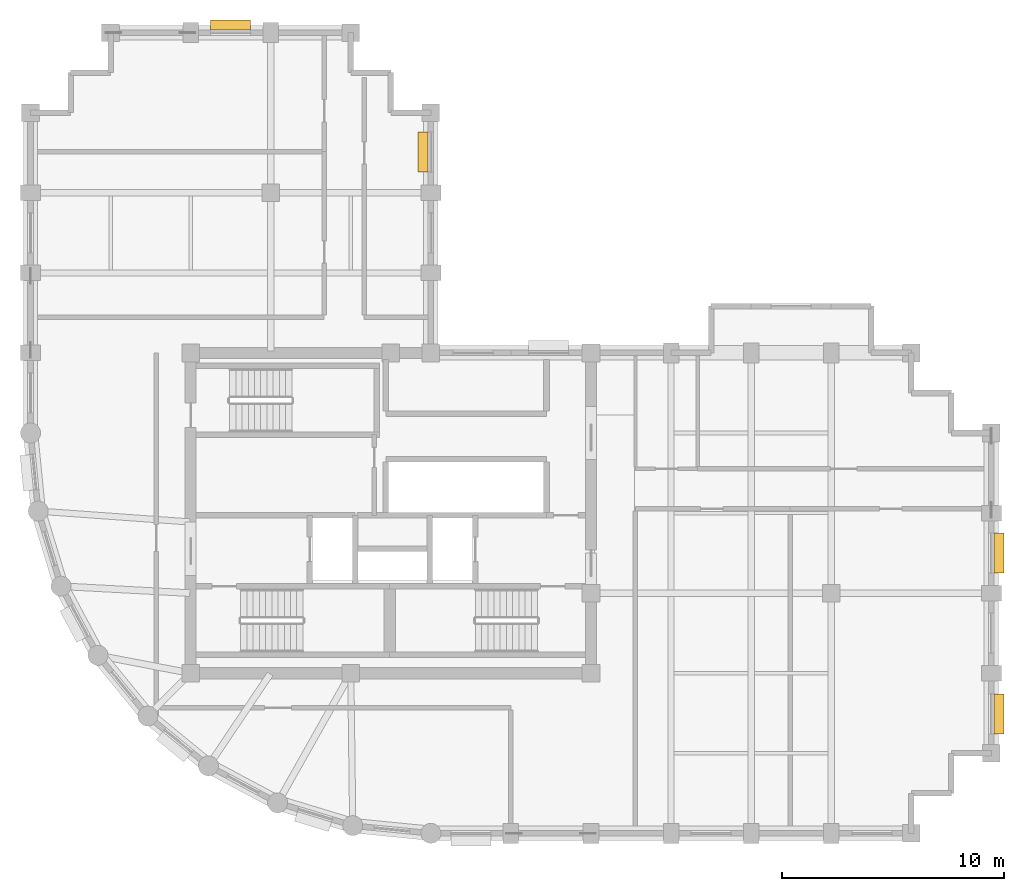
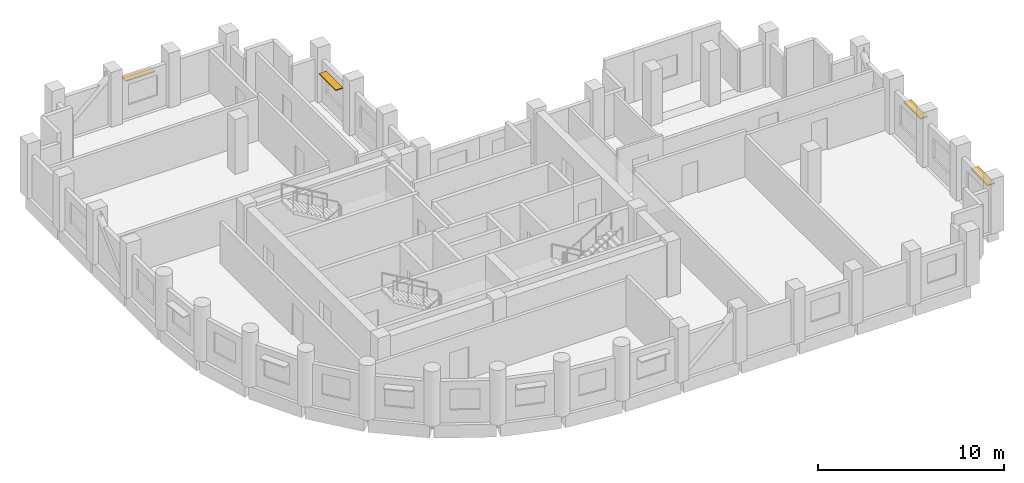
# One storey, part 7 of 7: 4 shading devices.
"""IFC4 building model written with IfcOpenShell, lengths in metres."""

from ifc_helpers import new_model, si_unit, direction, frame, origin, origin_2d, place, context, subcontext, project, spatial, rectangle, extrude, material, layer, layer_set, type_object, element, save


model = new_model("IFC4")

# Units and contexts
model_context = context("Model", 3, precision=1e-05, world=origin(), true_north=direction((0.0, 1.0)))
body_context = subcontext(model_context, "Body", "Model", "MODEL_VIEW")
ifc_project = project(units=[si_unit("LENGTHUNIT", "METRE"), si_unit("AREAUNIT", "SQUARE_METRE"), si_unit("VOLUMEUNIT", "CUBIC_METRE"), si_unit("PLANEANGLEUNIT", "RADIAN"), si_unit("MASSUNIT", "GRAM", prefix="KILO")], contexts=[model_context])

# Site, building, storey
site_placement = place(None, origin())
site = spatial("IfcSite", under=ifc_project, at=site_placement, CompositionType="ELEMENT")
building_placement = place(site_placement, origin())
building = spatial("IfcBuilding", under=site, at=building_placement, Name="Solnavia Interchange Tower", CompositionType="ELEMENT")
storey_placement = place(building_placement, frame((0.0, 0.0, 213.800048828125)))
storey = spatial("IfcBuildingStorey", under=building, at=storey_placement, Name="L53", CompositionType="ELEMENT", Elevation=213.800048828125)

# Shading devices
ifc_material = material(Name="Anodised Aluminium Sunshade", Category="aluminium")
ifc_layer = layer(ifc_material, 0.070068359375)
ifc_layer_set = layer_set([ifc_layer], Name="Anodised Aluminium Sunshade")
shading_device_type = type_object("IfcShadingDeviceType", Name="Sunshade-Band-450", PredefinedType="JALOUSIE", material=ifc_layer_set)
for number, where, z_axis, x_axis, name in (
    (1, (50.7451171875, 8.97509765625, 2.22509765625), (0.0, 0.0, 1.0), (0.0, -1.0, 0.0), "SHD-L53-11 Horizontal sunshade band"),
    (2, (50.7451171875, 16.199951171875, 2.22509765625), (0.0, 0.0, 1.0), (0.0, -1.0, 0.0), "SHD-L53-13 Horizontal sunshade band"),
    (3, (24.85498046875, 34.22509765625, 2.22509765625), (0.0, 0.0, 1.0), (0.0, 1.0, 0.0), "SHD-L53-31 Horizontal sunshade band"),
    (4, (16.199951171875, 39.945068359375, 2.22509765625), (0.0, 0.0, 1.0), (1.0, 0.0, 0.0), "SHD-L53-37 Horizontal sunshade band"),
):
    element("IfcShadingDevice", number, at=place(storey_placement, frame(where, z_axis=z_axis, x_axis=x_axis)), inside=storey, type_object=shading_device_type, Name=name, PredefinedType="JALOUSIE", context=body_context, shape_type="SweptSolid", body=[
        extrude(rectangle(XDim=1.800048828125, YDim=0.449951171875, at=origin_2d()), origin(), (0.0, 0.0, 1.0), 0.070068359375),
    ])

save(model, "model.ifc")
